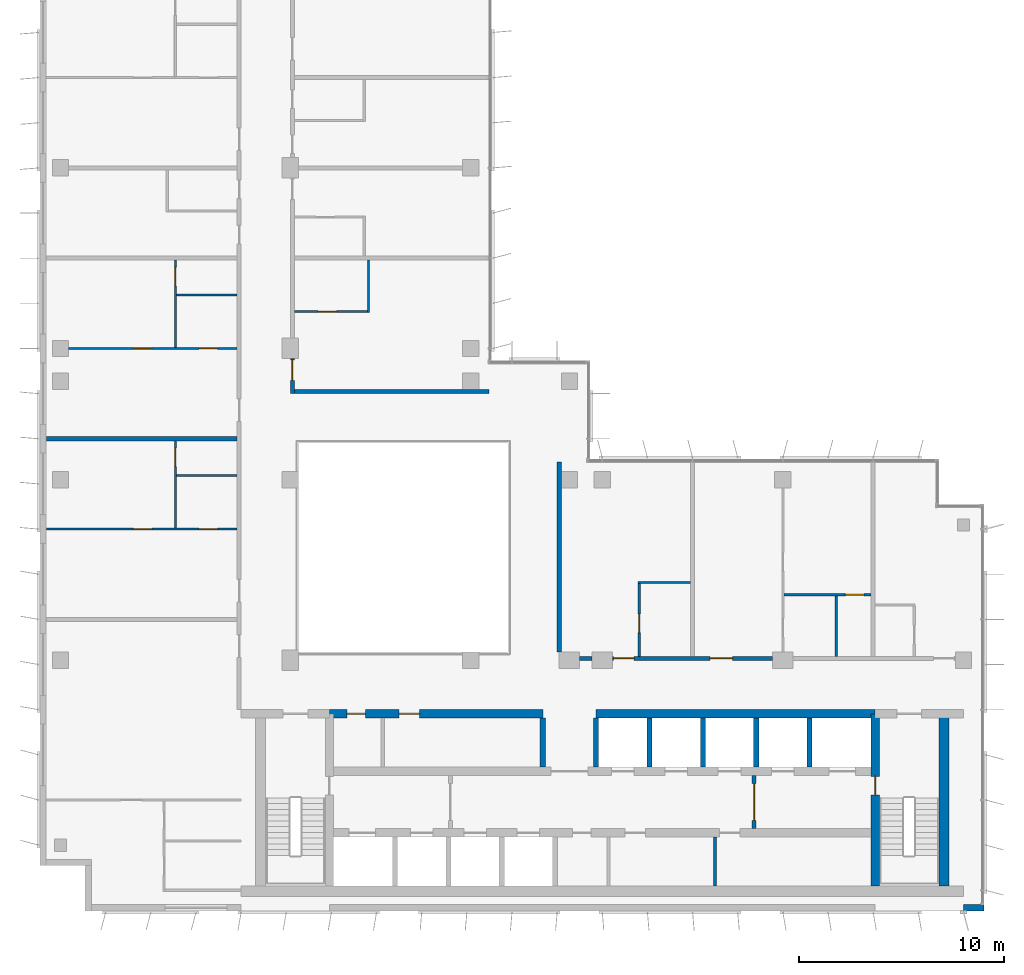
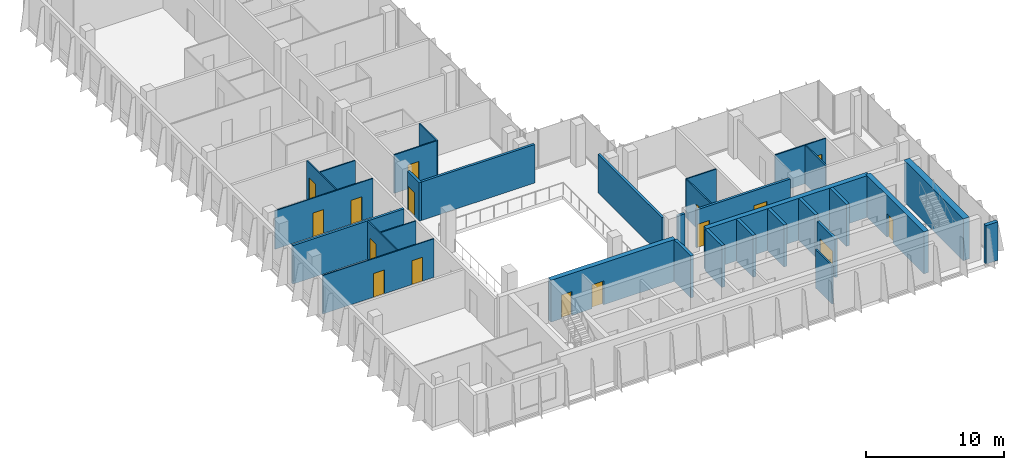
# One storey, part 10 of 16: 31 walls, 16 doors, 16 openings.
"""IFC4 building model written with IfcOpenShell, lengths in metres."""

import ifcopenshell
import ifcopenshell.guid

model = None  # the IFC model being written
_history = None  # IfcOwnerHistory: only IFC2X3 demands one
_inside = {}  # id of a spatial element -> (the spatial element, [elements in it])
_under = {}  # id of a project, library or spatial element -> (it, [spatial elements below it])
_declared = {}  # id of a project -> (the project, [libraries it declares])
_typed = {}  # id of a type object -> (the type object, [elements of that type])
_made_of = {}  # id of a material, layer set ... -> (it, [elements and type objects made of it])


def new_model(schema):
    """Start an empty IFC model of exactly this schema.

    Asked for "IFC4X3", IfcOpenShell would pick the latest addendum, in which some entities
    have other attributes; the version numbers below select the first issue.
    IFC2X3 requires an IfcOwnerHistory on every rooted entity: one is made here for all.
    """
    global model, _history
    if schema == "IFC4X3":
        model = ifcopenshell.file(schema_version=(4, 3, 0, 0))
    else:
        model = ifcopenshell.file(schema=schema)
    _inside.clear()
    _under.clear()
    _declared.clear()
    _typed.clear()
    _made_of.clear()
    _history = None
    if model.schema == "IFC2X3":
        org = make("IfcOrganization", Name="unknown")
        user = make(
            "IfcPersonAndOrganization",
            ThePerson=make("IfcPerson", FamilyName="unknown"),
            TheOrganization=org,
        )
        app = make(
            "IfcApplication",
            ApplicationDeveloper=org,
            Version="unknown",
            ApplicationFullName="unknown",
            ApplicationIdentifier="unknown",
        )
        _history = make(
            "IfcOwnerHistory",
            OwningUser=user,
            OwningApplication=app,
            ChangeAction="ADDED",
            CreationDate=0,
        )
    return model


def make(cls, **values):
    """One entity of the class cls with the attributes given. An attribute that is None is left unset."""
    return model.create_entity(
        cls, **{name: value for name, value in values.items() if value is not None}
    )


def rooted(cls, **values):
    """An entity with a GlobalId (a new one), such as an element, a storey or a relation."""
    return make(cls, GlobalId=ifcopenshell.guid.new(), OwnerHistory=_history, **values)


def si_unit(unit_type, name, prefix=None):
    """IfcSIUnit, for example si_unit("LENGTHUNIT", "METRE", prefix="MILLI")."""
    return make("IfcSIUnit", UnitType=unit_type, Prefix=prefix, Name=name)


def assignment(units):
    """IfcUnitAssignment: the units of a project."""
    return None if units is None else make("IfcUnitAssignment", Units=units)


def point(xyz):
    """IfcCartesianPoint."""
    return None if xyz is None else make("IfcCartesianPoint", Coordinates=xyz)


def direction(xyz):
    """IfcDirection."""
    return None if xyz is None else make("IfcDirection", DirectionRatios=xyz)


def frame(location, z_axis=None, x_axis=None):
    """IfcAxis2Placement3D, a coordinate frame: its origin and axes. An axis left out is left unset."""
    return make(
        "IfcAxis2Placement3D",
        Location=point(location),
        Axis=direction(z_axis),
        RefDirection=direction(x_axis),
    )


def frame_2d(location, x_axis=None):
    """IfcAxis2Placement2D, a coordinate frame in the plane: its origin and x axis."""
    return make(
        "IfcAxis2Placement2D", Location=point(location), RefDirection=direction(x_axis)
    )


def origin():
    """The frame at (0, 0, 0) with its axes left unset."""
    return frame((0.0, 0.0, 0.0))


def place(relative_to, where):
    """IfcLocalPlacement: puts the frame where relative to a parent placement (None: the world)."""
    return make(
        "IfcLocalPlacement", PlacementRelTo=relative_to, RelativePlacement=where
    )


def context(
    kind, dimensions, precision=None, world=None, true_north=None, identifier=None
):
    """IfcGeometricRepresentationContext, for example the 3D "Model" context."""
    return make(
        "IfcGeometricRepresentationContext",
        ContextIdentifier=identifier,
        ContextType=kind,
        CoordinateSpaceDimension=dimensions,
        Precision=precision,
        WorldCoordinateSystem=world,
        TrueNorth=true_north,
    )


def subcontext(parent, identifier, kind, view, scale=None):
    """IfcGeometricRepresentationSubContext, for example "Body" below "Model"."""
    return make(
        "IfcGeometricRepresentationSubContext",
        ContextIdentifier=identifier,
        ContextType=kind,
        ParentContext=parent,
        TargetScale=scale,
        TargetView=view,
    )


def project(units=None, contexts=None):
    """IfcProject with its units and contexts."""
    return rooted(
        "IfcProject",
        Name="project",
        RepresentationContexts=contexts,
        UnitsInContext=assignment(units),
    )


def spatial(cls, under=None, at=None, **own):
    """A site, building, storey or space (cls), placed at a placement, below another one or the project."""
    s = rooted(cls, ObjectPlacement=at, **own)
    if under is not None:
        _under.setdefault(under.id(), (under, []))[1].append(s)
    return s


def profile(cls, at=None, kind="AREA", **sizes):
    """A parametric profile (cls). Its sizes go by their IFC names, for example OverallWidth=200.0."""
    return make(cls, ProfileType=kind, Position=at, **sizes)


def rectangle(**sizes):
    """IfcRectangleProfileDef."""
    return profile("IfcRectangleProfileDef", **sizes)


def extrude(swept, where, along, depth):
    """IfcExtrudedAreaSolid: the profile swept, set in the frame where, extruded along a direction by depth."""
    return make(
        "IfcExtrudedAreaSolid",
        SweptArea=swept,
        Position=where,
        ExtrudedDirection=direction(along),
        Depth=depth,
    )


def shape(context_of_items, identifier, shape_type, items):
    """IfcShapeRepresentation: the items that make up one representation, for example the "Body"."""
    return make(
        "IfcShapeRepresentation",
        ContextOfItems=context_of_items,
        RepresentationIdentifier=identifier,
        RepresentationType=shape_type,
        Items=items,
    )


def material(Name=None, Category=None):
    """IfcMaterial."""
    return make("IfcMaterial", Name=Name, Category=Category)


def layer(
    of_material, thickness, ventilated=None, Name=None, Category=None, Priority=None
):
    """IfcMaterialLayer: one layer of a wall or slab, of a material (None: an air gap)."""
    return make(
        "IfcMaterialLayer",
        Material=of_material,
        LayerThickness=thickness,
        IsVentilated=ventilated,
        Name=Name,
        Category=Category,
        Priority=Priority,
    )


def layer_set(layers, Name=None):
    """IfcMaterialLayerSet."""
    return make("IfcMaterialLayerSet", MaterialLayers=layers, LayerSetName=Name)


def made_of(thing, what):
    """Note that an element or type object is made of a material, layer set ...; save() writes the relation."""
    if what is not None:
        _made_of.setdefault(what.id(), (what, []))[1].append(thing)
    return thing


def type_object(cls, material=None, **own):
    """A type object (cls), such as IfcWallType, which elements share."""
    return made_of(rooted(cls, **own), material)


def element(
    cls,
    number,
    at=None,
    inside=None,
    cuts=None,
    type_object=None,
    material=None,
    context=None,
    identifier="Body",
    shape_type=None,
    held_by="IfcProductDefinitionShape",
    body=None,
    shapes=None,
    **own,
):
    """One element of the class cls, such as IfcWall. Its Tag is "e" and its number.

    at: its placement. inside: the storey or other place that contains it. cuts: it is an
    opening in that element (IfcRelVoidsElement). A single representation is given by context,
    identifier, shape_type and body (its items); several are given by shapes. held_by: the class
    of the entity that holds the representations. save() writes the other relations.
    """
    e = rooted(cls, Tag="e%d" % number, ObjectPlacement=at, **own)
    if body is not None:
        shapes = [shape(context, identifier, shape_type, body)]
    if shapes is not None:
        e.Representation = make(held_by, Representations=shapes)
    if inside is not None:
        _inside.setdefault(inside.id(), (inside, []))[1].append(e)
    if cuts is not None:
        rooted(
            "IfcRelVoidsElement", RelatingBuildingElement=cuts, RelatedOpeningElement=e
        )
    if type_object is not None:
        _typed.setdefault(type_object.id(), (type_object, []))[1].append(e)
    return made_of(e, material)


def fill(opening, filler):
    """IfcRelFillsElement: the door or window that sits in an opening."""
    return rooted(
        "IfcRelFillsElement",
        RelatingOpeningElement=opening,
        RelatedBuildingElement=filler,
    )


def aggregate(whole, parts):
    """IfcRelAggregates: a whole, such as a stair, and the parts it consists of."""
    return rooted("IfcRelAggregates", RelatingObject=whole, RelatedObjects=parts)


def save(model, path):
    """Write the relations noted so far, then the file.

    IfcRelAggregates (storeys below a building ...), IfcRelContainedInSpatialStructure (elements
    in a storey), IfcRelDefinesByType, IfcRelAssociatesMaterial and IfcRelDeclares: one each for
    every whole, place, type object, material and project.
    """
    for whole, parts in _under.values():
        aggregate(whole, parts)
    for where, things in _inside.values():
        rooted(
            "IfcRelContainedInSpatialStructure",
            RelatedElements=things,
            RelatingStructure=where,
        )
    for kind, things in _typed.values():
        rooted("IfcRelDefinesByType", RelatedObjects=things, RelatingType=kind)
    for what, things in _made_of.values():
        rooted("IfcRelAssociatesMaterial", RelatedObjects=things, RelatingMaterial=what)
    for by, libraries in _declared.values():
        rooted("IfcRelDeclares", RelatingContext=by, RelatedDefinitions=libraries)
    model.write(path)


model = new_model("IFC4")

# Units and contexts
model_context = context("Model", 3, precision=1e-05, world=origin(), true_north=direction((0.0, 1.0)))
body_context = subcontext(model_context, "Body", "Model", "MODEL_VIEW")
ifc_project = project(units=[si_unit("LENGTHUNIT", "METRE"), si_unit("AREAUNIT", "SQUARE_METRE"), si_unit("VOLUMEUNIT", "CUBIC_METRE"), si_unit("PLANEANGLEUNIT", "RADIAN"), si_unit("MASSUNIT", "GRAM", prefix="KILO")], contexts=[model_context])

# Site, building, storey
site_placement = place(None, origin())
site = spatial("IfcSite", under=ifc_project, at=site_placement, CompositionType="ELEMENT")
building_placement = place(site_placement, origin())
building = spatial("IfcBuilding", under=site, at=building_placement, Name="Kemantara Hotel Tower", CompositionType="ELEMENT")
storey_placement = place(building_placement, frame((0.0, 0.0, 283.300048828125)))
storey = spatial("IfcBuildingStorey", under=building, at=storey_placement, Name="L71", CompositionType="ELEMENT", Elevation=283.300048828125)

# Walls
ifc_material_1 = material(Name="Bronze anodised aluminium cladding on insulated steel stud wall", Category="steel")
ifc_layer_1 = layer(ifc_material_1, 0.300048828125)
ifc_layer_set_1 = layer_set([ifc_layer_1], Name="Bronze anodised aluminium cladding on insulated steel stud wall")
wall_type_1 = type_object("IfcWallType", Name="BRONZE METAL-CLAD EXTERNAL WALL 300", PredefinedType="STANDARD", material=ifc_layer_set_1)
wall_1_placement = place(storey_placement, frame((45.0, 0.14990234375, 0.0), z_axis=(0.0, 0.0, 1.0), x_axis=(1.0, 0.0, 0.0)))
element("IfcWall", 1, at=wall_1_placement, inside=storey, type_object=wall_type_1, Name="EXTERNAL WALL L71 T4-R08-3", PredefinedType="STANDARD", context=body_context, shape_type="SweptSolid", body=[
    extrude(rectangle(XDim=1.0, YDim=0.300048828125, at=frame_2d((0.5, 0.0))), origin(), (0.0, 0.0, 1.0), 3.39990234375),
])
ifc_material_2 = material(Name="Concrete fc 50 MPa", Category="concrete")
ifc_layer_2 = layer(ifc_material_2, 0.25)
ifc_layer_set_2 = layer_set([ifc_layer_2], Name="Concrete fc 50 MPa")
wall_type_2 = type_object("IfcWallType", Name="CORE WALL 250 FC50", PredefinedType="SHEAR", material=ifc_layer_set_2)
for number, where, z_axis, x_axis, name in (
    (2, (24.5, 7.0, 0.0), (0.0, 0.0, 1.0), (0.0, 1.0, 0.0), "CORE WALL CW-DN24.5"),
    (3, (27.10009765625, 7.0, 0.0), (0.0, 0.0, 1.0), (0.0, 1.0, 0.0), "CORE WALL CW-DN27.1"),
    (4, (29.699951171875, 7.0, 0.0), (0.0, 0.0, 1.0), (0.0, 1.0, 0.0), "CORE WALL CW-DN29.7"),
    (5, (32.300048828125, 7.0, 0.0), (0.0, 0.0, 1.0), (0.0, 1.0, 0.0), "CORE WALL CW-DN32.3"),
    (6, (34.89990234375, 7.0, 0.0), (0.0, 0.0, 1.0), (0.0, 1.0, 0.0), "CORE WALL CW-DN34.9"),
    (7, (37.5, 7.0, 0.0), (0.0, 0.0, 1.0), (0.0, 1.0, 0.0), "CORE WALL CW-DN37.5"),
):
    element("IfcWall", number, at=place(storey_placement, frame(where, z_axis=z_axis, x_axis=x_axis)), inside=storey, type_object=wall_type_2, Name=name, PredefinedType="SHEAR", context=body_context, shape_type="SweptSolid", body=[
        extrude(rectangle(XDim=2.39990234375, YDim=0.25, at=frame_2d((1.199951171875, 0.0))), origin(), (0.0, 0.0, 1.0), 3.699951171875),
    ])

# Wall, openings, doors
ifc_layer_3 = layer(ifc_material_2, 0.39990234375)
ifc_layer_set_3 = layer_set([ifc_layer_3], Name="Concrete fc 50 MPa")
wall_type_3 = type_object("IfcWallType", Name="CORE WALL 400 FC50", PredefinedType="SHEAR", material=ifc_layer_set_3)
wall_2_placement = place(storey_placement, frame((14.10009765625, 9.60009765625, 0.0), z_axis=(0.0, 0.0, 1.0), x_axis=(1.0, 0.0, 0.0)))
wall_2 = element("IfcWall", 8, at=wall_2_placement, inside=storey, type_object=wall_type_3, Name="CORE WALL CW-NN1", PredefinedType="SHEAR", context=body_context, shape_type="SweptSolid", body=[
    extrude(rectangle(XDim=10.39990234375, YDim=0.39990234375, at=frame_2d((5.199951171875, 0.0))), origin(), (0.0, 0.0, 1.0), 3.699951171875),
])
opening_1_placement = place(wall_2_placement, frame((0.85009765625, 0.0, 0.0)))
opening_1 = element("IfcOpeningElement", 9, at=opening_1_placement, cuts=wall_2, Name="Opening C41-R-NW1", PredefinedType="OPENING", context=body_context, shape_type="SweptSolid", body=[
    extrude(rectangle(XDim=0.89990234375, YDim=2.10009765625, at=frame_2d((0.449951171875, 1.050048828125))), frame((0.0, 0.2099609375, 0.0), z_axis=(0.0, -1.0, 0.0), x_axis=(1.0, 0.0, 0.0)), (0.0, 0.0, 1.0), 0.419921875),
])
opening_2_placement = place(wall_2_placement, frame((3.39990234375, 0.0, 0.0)))
opening_2 = element("IfcOpeningElement", 10, at=opening_2_placement, cuts=wall_2, Name="Opening C41-R-NW2", PredefinedType="OPENING", context=body_context, shape_type="SweptSolid", body=[
    extrude(rectangle(XDim=1.0, YDim=2.10009765625, at=frame_2d((0.5, 1.050048828125))), frame((0.0, 0.2099609375, 0.0), z_axis=(0.0, -1.0, 0.0), x_axis=(1.0, 0.0, 0.0)), (0.0, 0.0, 1.0), 0.419921875),
])
ifc_material_3 = material(Name="Steel fire door", Category="steel")
door_type_1 = type_object("IfcDoorType", Name="Fire door FD30S 1000 x 2100", OperationType="NOTDEFINED", PredefinedType="DOOR", material=ifc_material_3)
door_1_placement = place(opening_2_placement, frame((1.0, 0.0, 0.0), z_axis=(0.0, 0.0, 1.0), x_axis=(-1.0, 0.0, 0.0)))
door_1 = element("IfcDoor", 11, at=door_1_placement, inside=storey, type_object=door_type_1, Name="Housekeeping Store door", OperationType="SINGLE_SWING_RIGHT", OverallHeight=2.10009765625, OverallWidth=1.0, PredefinedType="DOOR", context=body_context, shape_type="SweptSolid", body=[
    extrude(rectangle(XDim=1.0, YDim=2.10009765625, at=frame_2d((0.5, 1.050048828125))), frame((0.0, 0.02490234375, 0.0), z_axis=(0.0, -1.0, 0.0), x_axis=(1.0, 0.0, 0.0)), (0.0, 0.0, 1.0), 0.050048828125),
])
fill(opening_2, door_1)
door_type_2 = type_object("IfcDoorType", Name="Fire door FD30S 900 x 2100", OperationType="NOTDEFINED", PredefinedType="DOOR", material=ifc_material_3)
door_2_placement = place(opening_1_placement, frame((0.89990234375, 0.0, 0.0), z_axis=(0.0, 0.0, 1.0), x_axis=(-1.0, 0.0, 0.0)))
door_2 = element("IfcDoor", 12, at=door_2_placement, inside=storey, type_object=door_type_2, Name="Staff Wc door", OperationType="SINGLE_SWING_RIGHT", OverallHeight=2.10009765625, OverallWidth=0.89990234375, PredefinedType="DOOR", context=body_context, shape_type="SweptSolid", body=[
    extrude(rectangle(XDim=0.89990234375, YDim=2.10009765625, at=frame_2d((0.449951171875, 1.050048828125))), frame((0.0, 0.02490234375, 0.0), z_axis=(0.0, -1.0, 0.0), x_axis=(1.0, 0.0, 0.0)), (0.0, 0.0, 1.0), 0.050048828125),
])
fill(opening_1, door_2)

# Wall
wall_3_placement = place(storey_placement, frame((27.10009765625, 9.60009765625, 0.0), z_axis=(0.0, 0.0, 1.0), x_axis=(1.0, 0.0, 0.0)))
element("IfcWall", 13, at=wall_3_placement, inside=storey, type_object=wall_type_3, Name="CORE WALL CW-NN2", PredefinedType="SHEAR", context=body_context, shape_type="SweptSolid", body=[
    extrude(rectangle(XDim=13.599853515625, YDim=0.39990234375, at=frame_2d((6.7998046875, 0.0))), origin(), (0.0, 0.0, 1.0), 3.699951171875),
])

# Wall, opening, door
wall_4_placement = place(storey_placement, frame((40.699951171875, 1.199951171875, 0.0), z_axis=(0.0, 0.0, 1.0), x_axis=(0.0, 1.0, 0.0)))
wall_4 = element("IfcWall", 14, at=wall_4_placement, inside=storey, type_object=wall_type_3, Name="CORE WALL CW-ST2W", PredefinedType="SHEAR", context=body_context, shape_type="SweptSolid", body=[
    extrude(rectangle(XDim=8.400146484375, YDim=0.39990234375, at=frame_2d((4.2001953125, 0.0))), origin(), (0.0, 0.0, 1.0), 3.699951171875),
])
opening_3_placement = place(wall_4_placement, frame((4.449951171875, 0.0, 0.0)))
opening_3 = element("IfcOpeningElement", 15, at=opening_3_placement, cuts=wall_4, Name="Opening C41-ST2-F", PredefinedType="OPENING", context=body_context, shape_type="SweptSolid", body=[
    extrude(rectangle(XDim=0.89990234375, YDim=2.10009765625, at=frame_2d((0.449951171875, 1.050048828125))), frame((0.0, 0.2099609375, 0.0), z_axis=(0.0, -1.0, 0.0), x_axis=(1.0, 0.0, 0.0)), (0.0, 0.0, 1.0), 0.419921875),
])
door_type_3 = type_object("IfcDoorType", Name="Fire door FD90 900 x 2100", OperationType="NOTDEFINED", PredefinedType="DOOR", material=ifc_material_3)
door_3_placement = place(opening_3_placement, frame((0.89990234375, 0.0, 0.0), z_axis=(0.0, 0.0, 1.0), x_axis=(-1.0, 0.0, 0.0)))
door_3 = element("IfcDoor", 16, at=door_3_placement, inside=storey, type_object=door_type_3, Name="Stair ST2 door to firefighting lobby", OperationType="SINGLE_SWING_LEFT", OverallHeight=2.10009765625, OverallWidth=0.89990234375, PredefinedType="DOOR", context=body_context, shape_type="SweptSolid", body=[
    extrude(rectangle(XDim=0.89990234375, YDim=2.10009765625, at=frame_2d((0.449951171875, 1.050048828125))), frame((0.0, 0.02490234375, 0.0), z_axis=(0.0, -1.0, 0.0), x_axis=(1.0, 0.0, 0.0)), (0.0, 0.0, 1.0), 0.050048828125),
])
fill(opening_3, door_3)

# Walls
ifc_layer_4 = layer(ifc_material_2, 0.5)
ifc_layer_set_4 = layer_set([ifc_layer_4], Name="Concrete fc 50 MPa")
wall_type_4 = type_object("IfcWallType", Name="CORE WALL 500 FC50", PredefinedType="SHEAR", material=ifc_layer_set_4)
wall_5_placement = place(storey_placement, frame((44.050048828125, 1.199951171875, 0.0), z_axis=(0.0, 0.0, 1.0), x_axis=(0.0, 1.0, 0.0)))
element("IfcWall", 17, at=wall_5_placement, inside=storey, type_object=wall_type_4, Name="CORE WALL CW-E", PredefinedType="SHEAR", context=body_context, shape_type="SweptSolid", body=[
    extrude(rectangle(XDim=8.60009765625, YDim=0.5, at=frame_2d((4.300048828125, 0.0))), origin(), (0.0, 0.0, 1.0), 3.699951171875),
])
ifc_material_4 = material(Name="Gypsum board partition, steel studs and mineral wool, 200 mm", Category="steel")
ifc_layer_5 = layer(ifc_material_4, 0.199951171875)
ifc_layer_set_5 = layer_set([ifc_layer_5], Name="Gypsum board partition, steel studs and mineral wool, 200 mm")
wall_type_5 = type_object("IfcWallType", Name="CORRIDOR WALL 200", PredefinedType="PARTITIONING", material=ifc_layer_set_5)
wall_6_placement = place(storey_placement, frame((26.300048828125, 12.300048828125, 0.0), z_axis=(0.0, 0.0, 1.0), x_axis=(1.0, 0.0, 0.0)))
element("IfcWall", 18, at=wall_6_placement, inside=storey, type_object=wall_type_5, Name="CORRIDOR WALL 200 001", PredefinedType="PARTITIONING", context=body_context, shape_type="SweptSolid", body=[
    extrude(rectangle(XDim=0.599853515625, YDim=0.199951171875, at=frame_2d((0.2998046875, 0.0))), origin(), (0.0, 0.0, 1.0), 3.39990234375),
])

# Wall, openings, doors
wall_7_placement = place(storey_placement, frame((27.900146484375, 12.300048828125, 0.0), z_axis=(0.0, 0.0, 1.0), x_axis=(1.0, 0.0, 0.0)))
wall_7 = element("IfcWall", 19, at=wall_7_placement, inside=storey, type_object=wall_type_5, Name="CORRIDOR WALL 200 002", PredefinedType="PARTITIONING", context=body_context, shape_type="SweptSolid", body=[
    extrude(rectangle(XDim=7.7998046875, YDim=0.199951171875, at=frame_2d((3.89990234375, 0.0))), origin(), (0.0, 0.0, 1.0), 3.39990234375),
])
opening_4_placement = place(wall_7_placement, frame((0.0498046875, 0.0, 0.0)))
opening_4 = element("IfcOpeningElement", 20, at=opening_4_placement, cuts=wall_7, Name="Opening F35-001", PredefinedType="OPENING", context=body_context, shape_type="SweptSolid", body=[
    extrude(rectangle(XDim=1.0, YDim=2.10009765625, at=frame_2d((0.5, 1.050048828125))), frame((0.0, 0.10986328125, 0.0), z_axis=(0.0, -1.0, 0.0), x_axis=(1.0, 0.0, 0.0)), (0.0, 0.0, 1.0), 0.219970703125),
])
opening_5_placement = place(wall_7_placement, frame((4.75, 0.0, 0.0)))
opening_5 = element("IfcOpeningElement", 21, at=opening_5_placement, cuts=wall_7, Name="Opening F35-003", PredefinedType="OPENING", context=body_context, shape_type="SweptSolid", body=[
    extrude(rectangle(XDim=1.10009765625, YDim=2.10009765625, at=frame_2d((0.550048828125, 1.050048828125))), frame((0.0, 0.10986328125, 0.0), z_axis=(0.0, -1.0, 0.0), x_axis=(1.0, 0.0, 0.0)), (0.0, 0.0, 1.0), 0.219970703125),
])
ifc_material_5 = material(Name="Hardwood veneer door leaf with steel frame", Category="steel")
door_type_4 = type_object("IfcDoorType", Name="GUEST ROOM DOOR 1000 X 2100 FD30S", OperationType="NOTDEFINED", PredefinedType="DOOR", material=ifc_material_5)
door_4_placement = place(opening_4_placement, origin())
door_4 = element("IfcDoor", 22, at=door_4_placement, inside=storey, type_object=door_type_4, Name="GUEST ROOM DOOR F35-001", OperationType="SINGLE_SWING_LEFT", OverallHeight=2.10009765625, OverallWidth=1.0, PredefinedType="DOOR", context=body_context, shape_type="SweptSolid", body=[
    extrude(rectangle(XDim=1.0, YDim=2.10009765625, at=frame_2d((0.5, 1.050048828125))), frame((0.0, 0.02490234375, 0.0), z_axis=(0.0, -1.0, 0.0), x_axis=(1.0, 0.0, 0.0)), (0.0, 0.0, 1.0), 0.050048828125),
])
fill(opening_4, door_4)
door_type_5 = type_object("IfcDoorType", Name="SUITE ENTRANCE DOOR 1100 X 2100 FD30S", OperationType="NOTDEFINED", PredefinedType="DOOR", material=ifc_material_5)
door_5_placement = place(opening_5_placement, origin())
door_5 = element("IfcDoor", 23, at=door_5_placement, inside=storey, type_object=door_type_5, Name="SUITE ENTRANCE DOOR F35-003", OperationType="SINGLE_SWING_LEFT", OverallHeight=2.10009765625, OverallWidth=1.10009765625, PredefinedType="DOOR", context=body_context, shape_type="SweptSolid", body=[
    extrude(rectangle(XDim=1.10009765625, YDim=2.10009765625, at=frame_2d((0.550048828125, 1.050048828125))), frame((0.0, 0.02490234375, 0.0), z_axis=(0.0, -1.0, 0.0), x_axis=(1.0, 0.0, 0.0)), (0.0, 0.0, 1.0), 0.050048828125),
])
fill(opening_5, door_5)

# Wall, opening, door
wall_8_placement = place(storey_placement, frame((12.300048828125, 26.89990234375, 0.0), z_axis=(0.0, 0.0, 1.0), x_axis=(0.0, -1.0, 0.0)))
wall_8 = element("IfcWall", 24, at=wall_8_placement, inside=storey, type_object=wall_type_5, Name="CORRIDOR WALL 200 016", PredefinedType="PARTITIONING", context=body_context, shape_type="SweptSolid", body=[
    extrude(rectangle(XDim=1.699951171875, YDim=0.199951171875, at=frame_2d((0.85009765625, 0.0))), origin(), (0.0, 0.0, 1.0), 3.39990234375),
])
opening_6_placement = place(wall_8_placement, frame((0.0498046875, 0.0, 0.0)))
opening_6 = element("IfcOpeningElement", 25, at=opening_6_placement, cuts=wall_8, Name="Opening F35-029", PredefinedType="OPENING", context=body_context, shape_type="SweptSolid", body=[
    extrude(rectangle(XDim=1.0, YDim=2.10009765625, at=frame_2d((0.5, 1.050048828125))), frame((0.0, 0.10986328125, 0.0), z_axis=(0.0, -1.0, 0.0), x_axis=(1.0, 0.0, 0.0)), (0.0, 0.0, 1.0), 0.219970703125),
])
door_6_placement = place(opening_6_placement, origin())
door_6 = element("IfcDoor", 26, at=door_6_placement, inside=storey, type_object=door_type_4, Name="GUEST ROOM DOOR F35-029", OperationType="SINGLE_SWING_RIGHT", OverallHeight=2.10009765625, OverallWidth=1.0, PredefinedType="DOOR", context=body_context, shape_type="SweptSolid", body=[
    extrude(rectangle(XDim=1.0, YDim=2.10009765625, at=frame_2d((0.5, 1.050048828125))), frame((0.0, 0.02490234375, 0.0), z_axis=(0.0, -1.0, 0.0), x_axis=(1.0, 0.0, 0.0)), (0.0, 0.0, 1.0), 0.050048828125),
])
fill(opening_6, door_6)

# Walls
ifc_layer_6 = layer(ifc_material_4, 0.199951171875)
ifc_layer_set_6 = layer_set([ifc_layer_6], Name="Gypsum board partition, steel studs and mineral wool, 200 mm")
wall_type_6 = type_object("IfcWallType", Name="GUEST ROOM PARTY WALL 200", PredefinedType="PARTITIONING", material=ifc_layer_set_6)
wall_9_placement = place(storey_placement, frame((25.300048828125, 12.60009765625, 0.0), z_axis=(0.0, 0.0, 1.0), x_axis=(0.0, 1.0, 0.0)))
element("IfcWall", 27, at=wall_9_placement, inside=storey, type_object=wall_type_6, Name="GUEST ROOM PARTY WALL 200 004", PredefinedType="PARTITIONING", context=body_context, shape_type="SweptSolid", body=[
    extrude(rectangle(XDim=9.27001953125, YDim=0.199951171875, at=frame_2d((4.635009765625, 0.0))), origin(), (0.0, 0.0, 1.0), 3.39990234375),
])
wall_10_placement = place(storey_placement, frame((0.31005859375, 23.0, 0.0), z_axis=(0.0, 0.0, 1.0), x_axis=(1.0, 0.0, 0.0)))
element("IfcWall", 28, at=wall_10_placement, inside=storey, type_object=wall_type_6, Name="GUEST ROOM PARTY WALL 200 010", PredefinedType="PARTITIONING", context=body_context, shape_type="SweptSolid", body=[
    extrude(rectangle(XDim=9.2900390625, YDim=0.199951171875, at=frame_2d((4.64501953125, 0.0))), origin(), (0.0, 0.0, 1.0), 3.39990234375),
])
wall_11_placement = place(storey_placement, frame((12.39990234375, 25.300048828125, 0.0), z_axis=(0.0, 0.0, 1.0), x_axis=(1.0, 0.0, 0.0)))
element("IfcWall", 29, at=wall_11_placement, inside=storey, type_object=wall_type_6, Name="GUEST ROOM PARTY WALL 200 021", PredefinedType="PARTITIONING", context=body_context, shape_type="SweptSolid", body=[
    extrude(rectangle(XDim=9.47021484375, YDim=0.199951171875, at=frame_2d((4.735107421875, 0.0))), origin(), (0.0, 0.0, 1.0), 3.39990234375),
])
ifc_material_6 = material(Name="Gypsum board partition")
ifc_layer_7 = layer(ifc_material_6, 0.14990234375)
ifc_layer_set_7 = layer_set([ifc_layer_7], Name="Gypsum board partition")
wall_type_7 = type_object("IfcWallType", Name="Gypsum board partition 150 mm", PredefinedType="PARTITIONING", material=ifc_layer_set_7)
wall_12_placement = place(storey_placement, frame((32.89990234375, 1.199951171875, 0.0), z_axis=(0.0, 0.0, 1.0), x_axis=(0.0, 1.0, 0.0)))
element("IfcWall", 30, at=wall_12_placement, inside=storey, type_object=wall_type_7, Name="Core room partition", PredefinedType="PARTITIONING", context=body_context, shape_type="SweptSolid", body=[
    extrude(rectangle(XDim=2.400146484375, YDim=0.14990234375, at=frame_2d((1.2001953125, 0.0))), origin(), (0.0, 0.0, 1.0), 3.39990234375),
])

# Wall, opening, door
ifc_material_7 = material(Name="Gypsum board shaft wall")
ifc_layer_8 = layer(ifc_material_7, 0.199951171875)
ifc_layer_set_8 = layer_set([ifc_layer_8], Name="Gypsum board shaft wall")
wall_type_8 = type_object("IfcWallType", Name="Gypsum board shaft wall 200 mm", PredefinedType="PARTITIONING", material=ifc_layer_set_8)
wall_13_placement = place(storey_placement, frame((34.800048828125, 4.0, 0.0), z_axis=(0.0, 0.0, 1.0), x_axis=(0.0, 1.0, 0.0)))
wall_13 = element("IfcWall", 31, at=wall_13_placement, inside=storey, type_object=wall_type_8, Name="Firefighting lobby partition east", PredefinedType="PARTITIONING", context=body_context, shape_type="SweptSolid", body=[
    extrude(rectangle(XDim=2.60009765625, YDim=0.199951171875, at=frame_2d((1.300048828125, 0.0))), origin(), (0.0, 0.0, 1.0), 3.39990234375),
])
opening_7_placement = place(wall_13_placement, frame((0.39990234375, 0.0, 0.0)))
opening_7 = element("IfcOpeningElement", 32, at=opening_7_placement, cuts=wall_13, Name="Opening C41-FFE", PredefinedType="OPENING", context=body_context, shape_type="SweptSolid", body=[
    extrude(rectangle(XDim=1.800048828125, YDim=2.10009765625, at=frame_2d((0.89990234375, 1.050048828125))), frame((0.0, 0.10986328125, 0.0), z_axis=(0.0, -1.0, 0.0), x_axis=(1.0, 0.0, 0.0)), (0.0, 0.0, 1.0), 0.219970703125),
])
door_type_6 = type_object("IfcDoorType", Name="Fire door pair FD60 1800 x 2100", OperationType="DOUBLE_DOOR_SINGLE_SWING", PredefinedType="DOOR", material=ifc_material_3)
door_7_placement = place(opening_7_placement, frame((1.800048828125, 0.0, 0.0), z_axis=(0.0, 0.0, 1.0), x_axis=(-1.0, 0.0, 0.0)))
door_7 = element("IfcDoor", 33, at=door_7_placement, inside=storey, type_object=door_type_6, Name="Firefighting lobby door east", OperationType="DOUBLE_DOOR_SINGLE_SWING", OverallHeight=2.10009765625, OverallWidth=1.800048828125, PredefinedType="DOOR", context=body_context, shape_type="SweptSolid", body=[
    extrude(rectangle(XDim=1.800048828125, YDim=2.10009765625, at=frame_2d((0.89990234375, 1.050048828125))), frame((0.0, 0.02490234375, 0.0), z_axis=(0.0, -1.0, 0.0), x_axis=(1.0, 0.0, 0.0)), (0.0, 0.0, 1.0), 0.050048828125),
])
fill(opening_7, door_7)

# Wall
ifc_material_8 = material(Name="Gypsum board partition on steel studs, 100 mm", Category="steel")
ifc_layer_9 = layer(ifc_material_8, 0.10009765625)
ifc_layer_set_9 = layer_set([ifc_layer_9], Name="Gypsum board partition on steel studs, 100 mm")
wall_type_9 = type_object("IfcWallType", Name="ROOM PARTITION 100", PredefinedType="PARTITIONING", material=ifc_layer_set_9)
wall_14_placement = place(storey_placement, frame((29.14990234375, 16.0, 0.0), z_axis=(0.0, 0.0, 1.0), x_axis=(1.0, 0.0, 0.0)))
element("IfcWall", 34, at=wall_14_placement, inside=storey, type_object=wall_type_9, Name="ROOM PARTITION 100 024", PredefinedType="PARTITIONING", context=body_context, shape_type="SweptSolid", body=[
    extrude(rectangle(XDim=2.550048828125, YDim=0.10009765625, at=frame_2d((1.27490234375, 0.0))), origin(), (0.0, 0.0, 1.0), 3.39990234375),
])

# Wall, opening, door
wall_15_placement = place(storey_placement, frame((29.199951171875, 15.949951171875, 0.0), z_axis=(0.0, 0.0, 1.0), x_axis=(0.0, -1.0, 0.0)))
wall_15 = element("IfcWall", 35, at=wall_15_placement, inside=storey, type_object=wall_type_9, Name="ROOM PARTITION 100 025", PredefinedType="PARTITIONING", context=body_context, shape_type="SweptSolid", body=[
    extrude(rectangle(XDim=3.550048828125, YDim=0.10009765625, at=frame_2d((1.77490234375, 0.0))), origin(), (0.0, 0.0, 1.0), 3.39990234375),
])
opening_8_placement = place(wall_15_placement, frame((1.5, 0.0, 0.0)))
opening_8 = element("IfcOpeningElement", 36, at=opening_8_placement, cuts=wall_15, Name="Opening F35-002", PredefinedType="OPENING", context=body_context, shape_type="SweptSolid", body=[
    extrude(rectangle(XDim=0.89990234375, YDim=2.10009765625, at=frame_2d((0.449951171875, 1.050048828125))), frame((0.0, 0.06005859375, 0.0), z_axis=(0.0, -1.0, 0.0), x_axis=(1.0, 0.0, 0.0)), (0.0, 0.0, 1.0), 0.1201171875),
])
door_type_7 = type_object("IfcDoorType", Name="BATHROOM DOOR 900 X 2100", OperationType="NOTDEFINED", PredefinedType="DOOR", material=ifc_material_5)
door_8_placement = place(opening_8_placement, origin())
door_8 = element("IfcDoor", 37, at=door_8_placement, inside=storey, type_object=door_type_7, Name="BATHROOM DOOR F35-002", OperationType="SINGLE_SWING_RIGHT", OverallHeight=2.10009765625, OverallWidth=0.89990234375, PredefinedType="DOOR", context=body_context, shape_type="SweptSolid", body=[
    extrude(rectangle(XDim=0.89990234375, YDim=2.10009765625, at=frame_2d((0.449951171875, 1.050048828125))), frame((0.0, 0.02490234375, 0.0), z_axis=(0.0, -1.0, 0.0), x_axis=(1.0, 0.0, 0.0)), (0.0, 0.0, 1.0), 0.050048828125),
])
fill(opening_8, door_8)

wall_16_placement = place(storey_placement, frame((40.5, 15.39990234375, 0.0), z_axis=(0.0, 0.0, 1.0), x_axis=(-1.0, 0.0, 0.0)))
wall_16 = element("IfcWall", 38, at=wall_16_placement, inside=storey, type_object=wall_type_9, Name="ROOM PARTITION 100 026", PredefinedType="PARTITIONING", context=body_context, shape_type="SweptSolid", body=[
    extrude(rectangle(XDim=4.25, YDim=0.10009765625, at=frame_2d((2.125, 0.0))), origin(), (0.0, 0.0, 1.0), 3.39990234375),
])
opening_9_placement = place(wall_16_placement, frame((0.35009765625, 0.0, 0.0)))
opening_9 = element("IfcOpeningElement", 39, at=opening_9_placement, cuts=wall_16, Name="Opening F35-006", PredefinedType="OPENING", context=body_context, shape_type="SweptSolid", body=[
    extrude(rectangle(XDim=0.89990234375, YDim=2.10009765625, at=frame_2d((0.449951171875, 1.050048828125))), frame((0.0, 0.06005859375, 0.0), z_axis=(0.0, -1.0, 0.0), x_axis=(1.0, 0.0, 0.0)), (0.0, 0.0, 1.0), 0.1201171875),
])
door_9_placement = place(opening_9_placement, origin())
door_9 = element("IfcDoor", 40, at=door_9_placement, inside=storey, type_object=door_type_7, Name="BATHROOM DOOR F35-006", OperationType="SINGLE_SWING_RIGHT", OverallHeight=2.10009765625, OverallWidth=0.89990234375, PredefinedType="DOOR", context=body_context, shape_type="SweptSolid", body=[
    extrude(rectangle(XDim=0.89990234375, YDim=2.10009765625, at=frame_2d((0.449951171875, 1.050048828125))), frame((0.0, 0.02490234375, 0.0), z_axis=(0.0, -1.0, 0.0), x_axis=(1.0, 0.0, 0.0)), (0.0, 0.0, 1.0), 0.050048828125),
])
fill(opening_9, door_9)

# Wall
wall_17_placement = place(storey_placement, frame((38.800048828125, 12.39990234375, 0.0), z_axis=(0.0, 0.0, 1.0), x_axis=(0.0, 1.0, 0.0)))
element("IfcWall", 41, at=wall_17_placement, inside=storey, type_object=wall_type_9, Name="ROOM PARTITION 100 028", PredefinedType="PARTITIONING", context=body_context, shape_type="SweptSolid", body=[
    extrude(rectangle(XDim=2.9501953125, YDim=0.10009765625, at=frame_2d((1.47509765625, 0.0))), origin(), (0.0, 0.0, 1.0), 3.39990234375),
])

# Wall, opening, door
wall_18_placement = place(storey_placement, frame((6.60009765625, 22.89990234375, 0.0), z_axis=(0.0, 0.0, 1.0), x_axis=(0.0, -1.0, 0.0)))
wall_18 = element("IfcWall", 42, at=wall_18_placement, inside=storey, type_object=wall_type_9, Name="ROOM PARTITION 100 035", PredefinedType="PARTITIONING", context=body_context, shape_type="SweptSolid", body=[
    extrude(rectangle(XDim=4.25, YDim=0.10009765625, at=frame_2d((2.125, 0.0))), origin(), (0.0, 0.0, 1.0), 3.39990234375),
])
opening_10_placement = place(wall_18_placement, frame((0.35009765625, 0.0, 0.0)))
opening_10 = element("IfcOpeningElement", 43, at=opening_10_placement, cuts=wall_18, Name="Opening F35-016", PredefinedType="OPENING", context=body_context, shape_type="SweptSolid", body=[
    extrude(rectangle(XDim=0.89990234375, YDim=2.10009765625, at=frame_2d((0.449951171875, 1.050048828125))), frame((0.0, 0.06005859375, 0.0), z_axis=(0.0, -1.0, 0.0), x_axis=(1.0, 0.0, 0.0)), (0.0, 0.0, 1.0), 0.1201171875),
])
door_10_placement = place(opening_10_placement, origin())
door_10 = element("IfcDoor", 44, at=door_10_placement, inside=storey, type_object=door_type_7, Name="BATHROOM DOOR F35-016", OperationType="SINGLE_SWING_RIGHT", OverallHeight=2.10009765625, OverallWidth=0.89990234375, PredefinedType="DOOR", context=body_context, shape_type="SweptSolid", body=[
    extrude(rectangle(XDim=0.89990234375, YDim=2.10009765625, at=frame_2d((0.449951171875, 1.050048828125))), frame((0.0, 0.02490234375, 0.0), z_axis=(0.0, -1.0, 0.0), x_axis=(1.0, 0.0, 0.0)), (0.0, 0.0, 1.0), 0.050048828125),
])
fill(opening_10, door_10)

wall_19_placement = place(storey_placement, frame((6.60009765625, 31.699951171875, 0.0), z_axis=(0.0, 0.0, 1.0), x_axis=(0.0, -1.0, 0.0)))
wall_19 = element("IfcWall", 45, at=wall_19_placement, inside=storey, type_object=wall_type_9, Name="ROOM PARTITION 100 036", PredefinedType="PARTITIONING", context=body_context, shape_type="SweptSolid", body=[
    extrude(rectangle(XDim=4.25, YDim=0.10009765625, at=frame_2d((2.125, 0.0))), origin(), (0.0, 0.0, 1.0), 3.39990234375),
])
opening_11_placement = place(wall_19_placement, frame((0.35009765625, 0.0, 0.0)))
opening_11 = element("IfcOpeningElement", 46, at=opening_11_placement, cuts=wall_19, Name="Opening F35-020", PredefinedType="OPENING", context=body_context, shape_type="SweptSolid", body=[
    extrude(rectangle(XDim=0.89990234375, YDim=2.10009765625, at=frame_2d((0.449951171875, 1.050048828125))), frame((0.0, 0.06005859375, 0.0), z_axis=(0.0, -1.0, 0.0), x_axis=(1.0, 0.0, 0.0)), (0.0, 0.0, 1.0), 0.1201171875),
])
door_11_placement = place(opening_11_placement, origin())
door_11 = element("IfcDoor", 47, at=door_11_placement, inside=storey, type_object=door_type_7, Name="BATHROOM DOOR F35-020", OperationType="SINGLE_SWING_RIGHT", OverallHeight=2.10009765625, OverallWidth=0.89990234375, PredefinedType="DOOR", context=body_context, shape_type="SweptSolid", body=[
    extrude(rectangle(XDim=0.89990234375, YDim=2.10009765625, at=frame_2d((0.449951171875, 1.050048828125))), frame((0.0, 0.02490234375, 0.0), z_axis=(0.0, -1.0, 0.0), x_axis=(1.0, 0.0, 0.0)), (0.0, 0.0, 1.0), 0.050048828125),
])
fill(opening_11, door_11)

# Wall, openings, doors
wall_20_placement = place(storey_placement, frame((0.31005859375, 18.60009765625, 0.0), z_axis=(0.0, 0.0, 1.0), x_axis=(1.0, 0.0, 0.0)))
wall_20 = element("IfcWall", 48, at=wall_20_placement, inside=storey, type_object=wall_type_9, Name="ROOM PARTITION 100 038", PredefinedType="PARTITIONING", context=body_context, shape_type="SweptSolid", body=[
    extrude(rectangle(XDim=9.2900390625, YDim=0.10009765625, at=frame_2d((4.64501953125, 0.0))), origin(), (0.0, 0.0, 1.0), 3.39990234375),
])
opening_12_placement = place(wall_20_placement, frame((7.43994140625, 0.0, 0.0)))
opening_12 = element("IfcOpeningElement", 49, at=opening_12_placement, cuts=wall_20, Name="Opening F35-014", PredefinedType="OPENING", context=body_context, shape_type="SweptSolid", body=[
    extrude(rectangle(XDim=0.89990234375, YDim=2.10009765625, at=frame_2d((0.449951171875, 1.050048828125))), frame((0.0, 0.06005859375, 0.0), z_axis=(0.0, -1.0, 0.0), x_axis=(1.0, 0.0, 0.0)), (0.0, 0.0, 1.0), 0.1201171875),
])
opening_13_placement = place(wall_20_placement, frame((4.239990234375, 0.0, 0.0)))
opening_13 = element("IfcOpeningElement", 50, at=opening_13_placement, cuts=wall_20, Name="Opening F35-015", PredefinedType="OPENING", context=body_context, shape_type="SweptSolid", body=[
    extrude(rectangle(XDim=0.89990234375, YDim=2.10009765625, at=frame_2d((0.449951171875, 1.050048828125))), frame((0.0, 0.06005859375, 0.0), z_axis=(0.0, -1.0, 0.0), x_axis=(1.0, 0.0, 0.0)), (0.0, 0.0, 1.0), 0.1201171875),
])
door_type_8 = type_object("IfcDoorType", Name="INTERNAL DOOR 900 X 2100", OperationType="NOTDEFINED", PredefinedType="DOOR", material=ifc_material_5)
door_12_placement = place(opening_13_placement, origin())
door_12 = element("IfcDoor", 51, at=door_12_placement, inside=storey, type_object=door_type_8, Name="INTERNAL DOOR F35-015", OperationType="SINGLE_SWING_RIGHT", OverallHeight=2.10009765625, OverallWidth=0.89990234375, PredefinedType="DOOR", context=body_context, shape_type="SweptSolid", body=[
    extrude(rectangle(XDim=0.89990234375, YDim=2.10009765625, at=frame_2d((0.449951171875, 1.050048828125))), frame((0.0, 0.02490234375, 0.0), z_axis=(0.0, -1.0, 0.0), x_axis=(1.0, 0.0, 0.0)), (0.0, 0.0, 1.0), 0.050048828125),
])
fill(opening_13, door_12)
door_type_9 = type_object("IfcDoorType", Name="PANTRY DOOR 900 X 2100", OperationType="NOTDEFINED", PredefinedType="DOOR", material=ifc_material_5)
door_13_placement = place(opening_12_placement, frame((0.89990234375, 0.0, 0.0), z_axis=(0.0, 0.0, 1.0), x_axis=(-1.0, 0.0, 0.0)))
door_13 = element("IfcDoor", 52, at=door_13_placement, inside=storey, type_object=door_type_9, Name="PANTRY DOOR F35-014", OperationType="SINGLE_SWING_RIGHT", OverallHeight=2.10009765625, OverallWidth=0.89990234375, PredefinedType="DOOR", context=body_context, shape_type="SweptSolid", body=[
    extrude(rectangle(XDim=0.89990234375, YDim=2.10009765625, at=frame_2d((0.449951171875, 1.050048828125))), frame((0.0, 0.02490234375, 0.0), z_axis=(0.0, -1.0, 0.0), x_axis=(1.0, 0.0, 0.0)), (0.0, 0.0, 1.0), 0.050048828125),
])
fill(opening_12, door_13)

# Wall
wall_21_placement = place(storey_placement, frame((6.64990234375, 21.199951171875, 0.0), z_axis=(0.0, 0.0, 1.0), x_axis=(1.0, 0.0, 0.0)))
element("IfcWall", 53, at=wall_21_placement, inside=storey, type_object=wall_type_9, Name="ROOM PARTITION 100 039", PredefinedType="PARTITIONING", context=body_context, shape_type="SweptSolid", body=[
    extrude(rectangle(XDim=2.9501953125, YDim=0.10009765625, at=frame_2d((1.47509765625, 0.0))), origin(), (0.0, 0.0, 1.0), 3.39990234375),
])

# Wall, openings, doors
wall_22_placement = place(storey_placement, frame((1.400146484375, 27.39990234375, 0.0), z_axis=(0.0, 0.0, 1.0), x_axis=(1.0, 0.0, 0.0)))
wall_22 = element("IfcWall", 54, at=wall_22_placement, inside=storey, type_object=wall_type_9, Name="ROOM PARTITION 100 040", PredefinedType="PARTITIONING", context=body_context, shape_type="SweptSolid", body=[
    extrude(rectangle(XDim=8.199951171875, YDim=0.10009765625, at=frame_2d((4.10009765625, 0.0))), origin(), (0.0, 0.0, 1.0), 3.39990234375),
])
opening_14_placement = place(wall_22_placement, frame((6.349853515625, 0.0, 0.0)))
opening_14 = element("IfcOpeningElement", 55, at=opening_14_placement, cuts=wall_22, Name="Opening F35-018", PredefinedType="OPENING", context=body_context, shape_type="SweptSolid", body=[
    extrude(rectangle(XDim=0.89990234375, YDim=2.10009765625, at=frame_2d((0.449951171875, 1.050048828125))), frame((0.0, 0.06005859375, 0.0), z_axis=(0.0, -1.0, 0.0), x_axis=(1.0, 0.0, 0.0)), (0.0, 0.0, 1.0), 0.1201171875),
])
opening_15_placement = place(wall_22_placement, frame((3.14990234375, 0.0, 0.0)))
opening_15 = element("IfcOpeningElement", 56, at=opening_15_placement, cuts=wall_22, Name="Opening F35-019", PredefinedType="OPENING", context=body_context, shape_type="SweptSolid", body=[
    extrude(rectangle(XDim=0.89990234375, YDim=2.10009765625, at=frame_2d((0.449951171875, 1.050048828125))), frame((0.0, 0.06005859375, 0.0), z_axis=(0.0, -1.0, 0.0), x_axis=(1.0, 0.0, 0.0)), (0.0, 0.0, 1.0), 0.1201171875),
])
door_14_placement = place(opening_15_placement, origin())
door_14 = element("IfcDoor", 57, at=door_14_placement, inside=storey, type_object=door_type_8, Name="INTERNAL DOOR F35-019", OperationType="SINGLE_SWING_RIGHT", OverallHeight=2.10009765625, OverallWidth=0.89990234375, PredefinedType="DOOR", context=body_context, shape_type="SweptSolid", body=[
    extrude(rectangle(XDim=0.89990234375, YDim=2.10009765625, at=frame_2d((0.449951171875, 1.050048828125))), frame((0.0, 0.02490234375, 0.0), z_axis=(0.0, -1.0, 0.0), x_axis=(1.0, 0.0, 0.0)), (0.0, 0.0, 1.0), 0.050048828125),
])
fill(opening_15, door_14)
door_15_placement = place(opening_14_placement, frame((0.89990234375, 0.0, 0.0), z_axis=(0.0, 0.0, 1.0), x_axis=(-1.0, 0.0, 0.0)))
door_15 = element("IfcDoor", 58, at=door_15_placement, inside=storey, type_object=door_type_9, Name="PANTRY DOOR F35-018", OperationType="SINGLE_SWING_RIGHT", OverallHeight=2.10009765625, OverallWidth=0.89990234375, PredefinedType="DOOR", context=body_context, shape_type="SweptSolid", body=[
    extrude(rectangle(XDim=0.89990234375, YDim=2.10009765625, at=frame_2d((0.449951171875, 1.050048828125))), frame((0.0, 0.02490234375, 0.0), z_axis=(0.0, -1.0, 0.0), x_axis=(1.0, 0.0, 0.0)), (0.0, 0.0, 1.0), 0.050048828125),
])
fill(opening_14, door_15)

# Walls
wall_23_placement = place(storey_placement, frame((6.64990234375, 30.0, 0.0), z_axis=(0.0, 0.0, 1.0), x_axis=(1.0, 0.0, 0.0)))
element("IfcWall", 59, at=wall_23_placement, inside=storey, type_object=wall_type_9, Name="ROOM PARTITION 100 041", PredefinedType="PARTITIONING", context=body_context, shape_type="SweptSolid", body=[
    extrude(rectangle(XDim=2.9501953125, YDim=0.10009765625, at=frame_2d((1.47509765625, 0.0))), origin(), (0.0, 0.0, 1.0), 3.39990234375),
])
wall_24_placement = place(storey_placement, frame((16.0, 29.14990234375, 0.0), z_axis=(0.0, 0.0, 1.0), x_axis=(0.0, 1.0, 0.0)))
element("IfcWall", 60, at=wall_24_placement, inside=storey, type_object=wall_type_9, Name="ROOM PARTITION 100 048", PredefinedType="PARTITIONING", context=body_context, shape_type="SweptSolid", body=[
    extrude(rectangle(XDim=2.550048828125, YDim=0.10009765625, at=frame_2d((1.27490234375, 0.0))), origin(), (0.0, 0.0, 1.0), 3.39990234375),
])

# Wall, opening, door
wall_25_placement = place(storey_placement, frame((12.39990234375, 29.199951171875, 0.0), z_axis=(0.0, 0.0, 1.0), x_axis=(1.0, 0.0, 0.0)))
wall_25 = element("IfcWall", 61, at=wall_25_placement, inside=storey, type_object=wall_type_9, Name="ROOM PARTITION 100 049", PredefinedType="PARTITIONING", context=body_context, shape_type="SweptSolid", body=[
    extrude(rectangle(XDim=3.550048828125, YDim=0.10009765625, at=frame_2d((1.77490234375, 0.0))), origin(), (0.0, 0.0, 1.0), 3.39990234375),
])
opening_16_placement = place(wall_25_placement, frame((1.14990234375, 0.0, 0.0)))
opening_16 = element("IfcOpeningElement", 62, at=opening_16_placement, cuts=wall_25, Name="Opening F35-030", PredefinedType="OPENING", context=body_context, shape_type="SweptSolid", body=[
    extrude(rectangle(XDim=0.89990234375, YDim=2.10009765625, at=frame_2d((0.449951171875, 1.050048828125))), frame((0.0, 0.06005859375, 0.0), z_axis=(0.0, -1.0, 0.0), x_axis=(1.0, 0.0, 0.0)), (0.0, 0.0, 1.0), 0.1201171875),
])
door_16_placement = place(opening_16_placement, origin())
door_16 = element("IfcDoor", 63, at=door_16_placement, inside=storey, type_object=door_type_7, Name="BATHROOM DOOR F35-030", OperationType="SINGLE_SWING_LEFT", OverallHeight=2.10009765625, OverallWidth=0.89990234375, PredefinedType="DOOR", context=body_context, shape_type="SweptSolid", body=[
    extrude(rectangle(XDim=0.89990234375, YDim=2.10009765625, at=frame_2d((0.449951171875, 1.050048828125))), frame((0.0, 0.02490234375, 0.0), z_axis=(0.0, -1.0, 0.0), x_axis=(1.0, 0.0, 0.0)), (0.0, 0.0, 1.0), 0.050048828125),
])
fill(opening_16, door_16)

save(model, "model.ifc")
